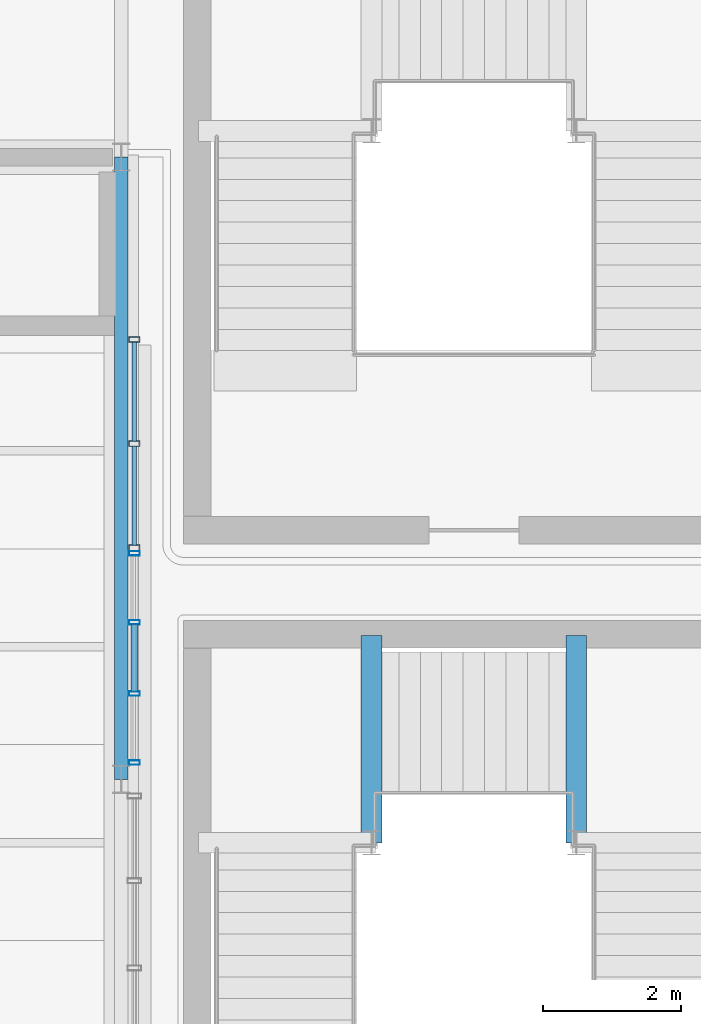
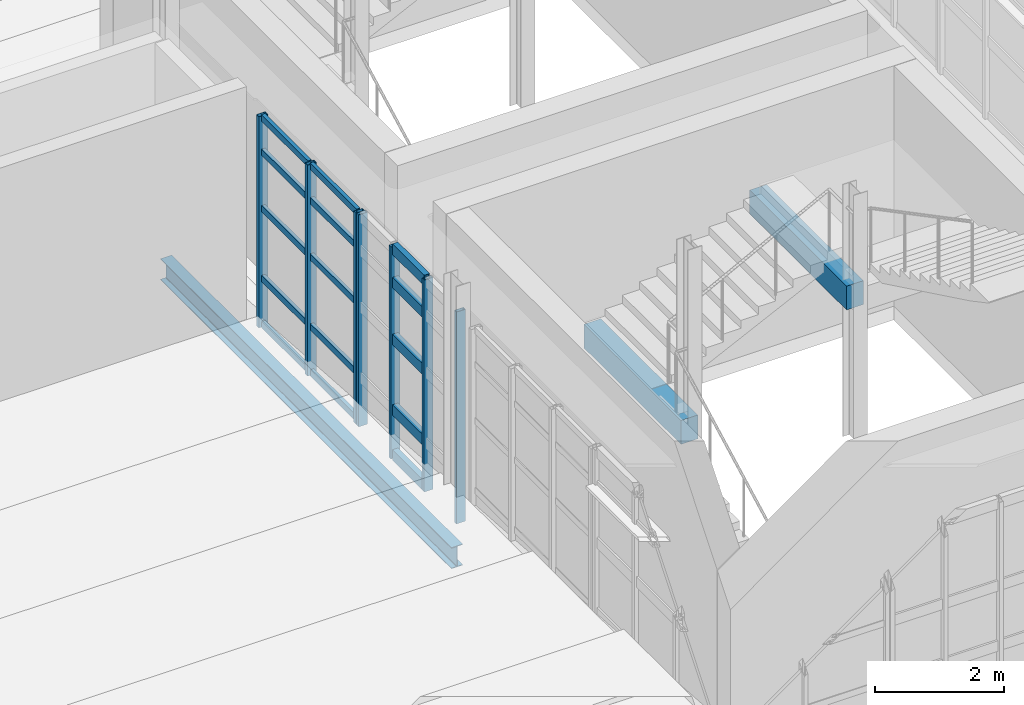
# One storey, part 53 of 100: 22 members, 3 beams, 2 elements without a shape of their own.
"""IFC4 building model written with IfcOpenShell, lengths in metres."""

from ifc_helpers import new_model, si_unit, derived_unit, direction, frame, origin, origin_2d, place, context, subcontext, project, spatial, rectangle, hollow_rectangle, i_section, extrude, material, layer, layer_set, material_profile, profile_set, type_object, element, aggregate, save


model = new_model("IFC4")

# Units and contexts
model_context = context("Model", 3, precision=1e-05, world=origin(), true_north=direction((0.0, 1.0)))
body_context = subcontext(model_context, "Body", "Model", "MODEL_VIEW")
ifc_project = project(units=[si_unit("LENGTHUNIT", "METRE"), si_unit("AREAUNIT", "SQUARE_METRE"), si_unit("VOLUMEUNIT", "CUBIC_METRE"), si_unit("PLANEANGLEUNIT", "RADIAN"), si_unit("MASSUNIT", "GRAM", prefix="KILO"), derived_unit("THERMALTRANSMITTANCEUNIT", [(si_unit("POWERUNIT", "WATT"), 1), (si_unit("LENGTHUNIT", "METRE"), -2), (si_unit("THERMODYNAMICTEMPERATUREUNIT", "KELVIN"), -1)])], contexts=[model_context])

# Site, building, storey
site_placement = place(None, origin())
site = spatial("IfcSite", under=ifc_project, at=site_placement, CompositionType="ELEMENT")
building_placement = place(site_placement, origin())
building = spatial("IfcBuilding", under=site, at=building_placement, Name="Nallur Shell Playhouse", CompositionType="ELEMENT")
storey_placement = place(building_placement, frame((0.0, 0.0, 10.199951171875)))
storey = spatial("IfcBuildingStorey", under=building, at=storey_placement, Name="L03", CompositionType="ELEMENT", Elevation=10.199951171875)

# Beams
ifc_material_1 = material(Name="Concrete M35", Category="concrete")
ifc_material_profile_1 = material_profile(ifc_material_1, rectangle(XDim=0.300048828125, YDim=0.449951171875, at=origin_2d()), Name="RC 300x450")
ifc_profile_set_1 = profile_set([ifc_material_profile_1], Name="Concrete M35")
beam_type_1 = type_object("IfcBeamType", Name="BM-SPN-300x450", PredefinedType="SPANDREL", material=ifc_profile_set_1)
for number, where, z_axis, x_axis, name in (
    (1, (151.219970703125, 31.080078125, 1.22509765625), (0.0, 1.0, 0.0), (-1.0, 0.0, 0.0), "Stair ST-08-L03 L1 east bearer beam"),
    (2, (154.179931640625, 31.080078125, 2.72509765625), (0.0, 1.0, 0.0), (-1.0, 0.0, 0.0), "Stair ST-08-L03 L2 west bearer beam"),
):
    element("IfcBeam", number, at=place(storey_placement, frame(where, z_axis=z_axis, x_axis=x_axis)), inside=storey, type_object=beam_type_1, Name=name, PredefinedType="SPANDREL", context=body_context, shape_type="SweptSolid", body=[
        extrude(rectangle(XDim=0.300048828125, YDim=0.449951171875, at=origin_2d()), origin(), (0.0, 0.0, 1.0), 3.0),
    ])
ifc_material_2 = material(Name="Steel E350", Category="steel")
ifc_material_profile_2 = material_profile(ifc_material_2, i_section(OverallWidth=0.199951171875, OverallDepth=0.39990234375, WebThickness=0.008544921875, FlangeThickness=0.012939453125, FilletRadius=0.012939453125, at=origin_2d()), Name="ISWB 400")
ifc_profile_set_2 = profile_set([ifc_material_profile_2], Name="Steel E350")
beam_type_2 = type_object("IfcBeamType", Name="BM-ST-ISWB400", PredefinedType="BEAM", material=ifc_profile_set_2)
beam_placement = place(storey_placement, frame((147.60009765625, 32.0, -0.4599609375), z_axis=(0.0, 1.0, 0.0), x_axis=(-1.0, 0.0, 0.0)))
element("IfcBeam", 3, at=beam_placement, inside=storey, type_object=beam_type_2, Name="L03 girder Y-18-677", PredefinedType="BEAM", context=body_context, shape_type="SweptSolid", body=[
    extrude(i_section(OverallWidth=0.199951171875, OverallDepth=0.39990234375, WebThickness=0.008544921875, FlangeThickness=0.012939453125, FilletRadius=0.012939453125, at=origin_2d()), origin(), (0.0, 0.0, 1.0), 9.0),
])

# Curtain wall, members
ifc_material_3 = material(Name="Anodised Aluminium Double-Glazed Facade System", Category="aluminium")
ifc_layer_1 = layer(ifc_material_3, 0.1640625)
ifc_layer_set_1 = layer_set([ifc_layer_1], Name="Anodised Aluminium Double-Glazed Facade System")
curtain_wall_type_1 = type_object("IfcCurtainWallType", Name="CW-UNIT-31", PredefinedType="NOTDEFINED", material=ifc_layer_set_1)
curtain_wall_1_placement = place(storey_placement, origin())
curtain_wall_1 = element("IfcCurtainWall", 4, at=curtain_wall_1_placement, inside=storey, type_object=curtain_wall_type_1, Name="Unitised curtain wall CW-095 (L03)", PredefinedType="NOTDEFINED")
ifc_material_4 = material(Name="Aluminium Alloy 6063-T6 Mullion", Category="aluminium")
ifc_material_profile_3 = material_profile(ifc_material_4, hollow_rectangle(XDim=0.080078125, YDim=0.159912109375, WallThickness=0.006103515625, at=origin_2d()), Name="RHS 160x80x6")
ifc_profile_set_3 = profile_set([ifc_material_profile_3], Name="Aluminium Alloy 6063-T6 Mullion")
member_type_1 = type_object("IfcMemberType", Name="MB-CW-MUL150", PredefinedType="MULLION", material=ifc_profile_set_3)
member_1_placement = place(storey_placement, frame((147.7900390625, 35.34912109375, -0.014892578125), z_axis=(0.0, 0.0, 1.0), x_axis=(0.0, 1.0, 0.0)))
member_1 = element("IfcMember", 5, at=member_1_placement, type_object=member_type_1, Name="CW-31 mullion 1", PredefinedType="MULLION", context=body_context, shape_type="SweptSolid", body=[
    extrude(hollow_rectangle(XDim=0.080078125, YDim=0.159912109375, WallThickness=0.006103515625, at=origin_2d()), origin(), (0.0, 0.0, 1.0), 3.98388671875),
])
member_2_placement = place(storey_placement, frame((147.7900390625, 36.8544921875, -0.014892578125), z_axis=(0.0, 0.0, 1.0), x_axis=(0.0, 1.0, 0.0)))
member_2 = element("IfcMember", 6, at=member_2_placement, type_object=member_type_1, Name="CW-31 mullion 2", PredefinedType="MULLION", context=body_context, shape_type="SweptSolid", body=[
    extrude(hollow_rectangle(XDim=0.080078125, YDim=0.159912109375, WallThickness=0.006103515625, at=origin_2d()), origin(), (0.0, 0.0, 1.0), 3.98388671875),
])
member_3_placement = place(storey_placement, frame((147.7900390625, 38.360107421875, -0.014892578125), z_axis=(0.0, 0.0, 1.0), x_axis=(0.0, 1.0, 0.0)))
member_3 = element("IfcMember", 7, at=member_3_placement, type_object=member_type_1, Name="CW-31 mullion 3", PredefinedType="MULLION", context=body_context, shape_type="SweptSolid", body=[
    extrude(hollow_rectangle(XDim=0.080078125, YDim=0.159912109375, WallThickness=0.006103515625, at=origin_2d()), origin(), (0.0, 0.0, 1.0), 3.98388671875),
])

ifc_layer_2 = layer(ifc_material_3, 0.159912109375)
ifc_layer_set_2 = layer_set([ifc_layer_2], Name="Anodised Aluminium Double-Glazed Facade System")
curtain_wall_type_2 = type_object("IfcCurtainWallType", Name="CW-UNIT-30", PredefinedType="NOTDEFINED", material=ifc_layer_set_2)
curtain_wall_2_placement = place(storey_placement, origin())
curtain_wall_2 = element("IfcCurtainWall", 8, at=curtain_wall_2_placement, inside=storey, type_object=curtain_wall_type_2, Name="Unitised curtain wall CW-094 (L03)", PredefinedType="NOTDEFINED")
ifc_material_profile_4 = material_profile(ifc_material_4, hollow_rectangle(XDim=0.06494140625, YDim=0.159912109375, WallThickness=0.00390625, at=origin_2d()), Name="ALU 65x160x4")
ifc_profile_set_4 = profile_set([ifc_material_profile_4], Name="Aluminium Alloy 6063-T6 Mullion")
member_type_2 = type_object("IfcMemberType", Name="MB-CW-MUL160", PredefinedType="MULLION", material=ifc_profile_set_4)
member_4_placement = place(storey_placement, frame((147.7900390625, 32.240478515625, -0.014892578125), z_axis=(0.0, 0.0, 1.0), x_axis=(0.0, 1.0, 0.0)))
member_4 = element("IfcMember", 9, at=member_4_placement, type_object=member_type_2, Name="CW-30 mullion 1", PredefinedType="MULLION", context=body_context, shape_type="SweptSolid", body=[
    extrude(hollow_rectangle(XDim=0.06494140625, YDim=0.159912109375, WallThickness=0.00390625, at=origin_2d()), origin(), (0.0, 0.0, 1.0), 4.00390625),
])
member_5_placement = place(storey_placement, frame((147.7900390625, 33.23828125, -0.014892578125), z_axis=(0.0, 0.0, 1.0), x_axis=(0.0, 1.0, 0.0)))
member_5 = element("IfcMember", 10, at=member_5_placement, type_object=member_type_2, Name="CW-30 mullion 2", PredefinedType="MULLION", context=body_context, shape_type="SweptSolid", body=[
    extrude(hollow_rectangle(XDim=0.06494140625, YDim=0.159912109375, WallThickness=0.00390625, at=origin_2d()), origin(), (0.0, 0.0, 1.0), 4.00390625),
])
member_6_placement = place(storey_placement, frame((147.7900390625, 34.2685546875, -0.014892578125), z_axis=(0.0, 0.0, 1.0), x_axis=(0.0, 1.0, 0.0)))
member_6 = element("IfcMember", 11, at=member_6_placement, type_object=member_type_2, Name="CW-30 mullion 3", PredefinedType="MULLION", context=body_context, shape_type="SweptSolid", body=[
    extrude(hollow_rectangle(XDim=0.06494140625, YDim=0.159912109375, WallThickness=0.00390625, at=origin_2d()), origin(), (0.0, 0.0, 1.0), 4.00390625),
])
member_7_placement = place(storey_placement, frame((147.7900390625, 35.2666015625, -0.014892578125), z_axis=(0.0, 0.0, 1.0), x_axis=(0.0, 1.0, 0.0)))
member_7 = element("IfcMember", 12, at=member_7_placement, type_object=member_type_2, Name="CW-30 mullion 4", PredefinedType="MULLION", context=body_context, shape_type="SweptSolid", body=[
    extrude(hollow_rectangle(XDim=0.06494140625, YDim=0.159912109375, WallThickness=0.00390625, at=origin_2d()), origin(), (0.0, 0.0, 1.0), 4.00390625),
])

# Member
ifc_material_5 = material(Name="Aluminium Alloy 6063-T6 Transom", Category="aluminium")
ifc_material_profile_5 = material_profile(ifc_material_5, hollow_rectangle(XDim=0.06494140625, YDim=0.1201171875, WallThickness=0.00390625, at=origin_2d()), Name="ALU 65x120x4")
ifc_profile_set_5 = profile_set([ifc_material_profile_5], Name="Aluminium Alloy 6063-T6 Transom")
member_type_3 = type_object("IfcMemberType", Name="MB-CW-TRN120", PredefinedType="USERDEFINED", material=ifc_profile_set_5)
member_8_placement = place(storey_placement, frame((147.7900390625, 35.381103515625, 0.032470703125), z_axis=(0.0, 1.0, 0.0), x_axis=(-1.0, 0.0, 0.0)))
member_8 = element("IfcMember", 13, at=member_8_placement, type_object=member_type_3, Name="CW-31 transom 1.1", ObjectType="TRANSOM", PredefinedType="USERDEFINED", context=body_context, shape_type="SweptSolid", body=[
    extrude(hollow_rectangle(XDim=0.06494140625, YDim=0.1201171875, WallThickness=0.00390625, at=origin_2d()), origin(), (0.0, 0.0, 1.0), 1.44140625),
])

member_9_placement = place(storey_placement, frame((147.7900390625, 35.381103515625, 0.900146484375), z_axis=(0.0, 1.0, 0.0), x_axis=(-1.0, 0.0, 0.0)))
member_9 = element("IfcMember", 14, at=member_9_placement, type_object=member_type_3, Name="CW-31 transom 1.2", ObjectType="TRANSOM", PredefinedType="USERDEFINED", context=body_context, shape_type="SweptSolid", body=[
    extrude(hollow_rectangle(XDim=0.06494140625, YDim=0.1201171875, WallThickness=0.00390625, at=origin_2d()), origin(), (0.0, 0.0, 1.0), 1.44140625),
])

member_10_placement = place(storey_placement, frame((147.7900390625, 35.381103515625, 2.219970703125), z_axis=(0.0, 1.0, 0.0), x_axis=(-1.0, 0.0, 0.0)))
member_10 = element("IfcMember", 15, at=member_10_placement, type_object=member_type_3, Name="CW-31 transom 1.3", ObjectType="TRANSOM", PredefinedType="USERDEFINED", context=body_context, shape_type="SweptSolid", body=[
    extrude(hollow_rectangle(XDim=0.06494140625, YDim=0.1201171875, WallThickness=0.00390625, at=origin_2d()), origin(), (0.0, 0.0, 1.0), 1.44140625),
])

member_11_placement = place(storey_placement, frame((147.7900390625, 35.381103515625, 3.28515625), z_axis=(0.0, 1.0, 0.0), x_axis=(-1.0, 0.0, 0.0)))
member_11 = element("IfcMember", 16, at=member_11_placement, type_object=member_type_3, Name="CW-31 transom 1.4", ObjectType="TRANSOM", PredefinedType="USERDEFINED", context=body_context, shape_type="SweptSolid", body=[
    extrude(hollow_rectangle(XDim=0.06494140625, YDim=0.1201171875, WallThickness=0.00390625, at=origin_2d()), origin(), (0.0, 0.0, 1.0), 1.44140625),
])

member_12_placement = place(storey_placement, frame((147.7900390625, 35.381103515625, 3.9326171875), z_axis=(0.0, 1.0, 0.0), x_axis=(-1.0, 0.0, 0.0)))
member_12 = element("IfcMember", 17, at=member_12_placement, type_object=member_type_3, Name="CW-31 transom 1.5", ObjectType="TRANSOM", PredefinedType="USERDEFINED", context=body_context, shape_type="SweptSolid", body=[
    extrude(hollow_rectangle(XDim=0.06494140625, YDim=0.1201171875, WallThickness=0.00390625, at=origin_2d()), origin(), (0.0, 0.0, 1.0), 1.44140625),
])

member_13_placement = place(storey_placement, frame((147.7900390625, 36.886474609375, 0.032470703125), z_axis=(0.0, 1.0, 0.0), x_axis=(-1.0, 0.0, 0.0)))
member_13 = element("IfcMember", 18, at=member_13_placement, type_object=member_type_3, Name="CW-31 transom 2.1", ObjectType="TRANSOM", PredefinedType="USERDEFINED", context=body_context, shape_type="SweptSolid", body=[
    extrude(hollow_rectangle(XDim=0.06494140625, YDim=0.1201171875, WallThickness=0.00390625, at=origin_2d()), origin(), (0.0, 0.0, 1.0), 1.44140625),
])

member_14_placement = place(storey_placement, frame((147.7900390625, 36.886474609375, 0.900146484375), z_axis=(0.0, 1.0, 0.0), x_axis=(-1.0, 0.0, 0.0)))
member_14 = element("IfcMember", 19, at=member_14_placement, type_object=member_type_3, Name="CW-31 transom 2.2", ObjectType="TRANSOM", PredefinedType="USERDEFINED", context=body_context, shape_type="SweptSolid", body=[
    extrude(hollow_rectangle(XDim=0.06494140625, YDim=0.1201171875, WallThickness=0.00390625, at=origin_2d()), origin(), (0.0, 0.0, 1.0), 1.44140625),
])

member_15_placement = place(storey_placement, frame((147.7900390625, 36.886474609375, 2.219970703125), z_axis=(0.0, 1.0, 0.0), x_axis=(-1.0, 0.0, 0.0)))
member_15 = element("IfcMember", 20, at=member_15_placement, type_object=member_type_3, Name="CW-31 transom 2.3", ObjectType="TRANSOM", PredefinedType="USERDEFINED", context=body_context, shape_type="SweptSolid", body=[
    extrude(hollow_rectangle(XDim=0.06494140625, YDim=0.1201171875, WallThickness=0.00390625, at=origin_2d()), origin(), (0.0, 0.0, 1.0), 1.44140625),
])

member_16_placement = place(storey_placement, frame((147.7900390625, 36.886474609375, 3.28515625), z_axis=(0.0, 1.0, 0.0), x_axis=(-1.0, 0.0, 0.0)))
member_16 = element("IfcMember", 21, at=member_16_placement, type_object=member_type_3, Name="CW-31 transom 2.4", ObjectType="TRANSOM", PredefinedType="USERDEFINED", context=body_context, shape_type="SweptSolid", body=[
    extrude(hollow_rectangle(XDim=0.06494140625, YDim=0.1201171875, WallThickness=0.00390625, at=origin_2d()), origin(), (0.0, 0.0, 1.0), 1.44140625),
])

member_17_placement = place(storey_placement, frame((147.7900390625, 36.886474609375, 3.9326171875), z_axis=(0.0, 1.0, 0.0), x_axis=(-1.0, 0.0, 0.0)))
member_17 = element("IfcMember", 22, at=member_17_placement, type_object=member_type_3, Name="CW-31 transom 2.5", ObjectType="TRANSOM", PredefinedType="USERDEFINED", context=body_context, shape_type="SweptSolid", body=[
    extrude(hollow_rectangle(XDim=0.06494140625, YDim=0.1201171875, WallThickness=0.00390625, at=origin_2d()), origin(), (0.0, 0.0, 1.0), 1.44140625),
])

aggregate(curtain_wall_1, [member_1, member_2, member_3, member_8, member_9, member_10, member_11, member_12, member_13, member_14, member_15, member_16, member_17])

ifc_material_profile_6 = material_profile(ifc_material_5, hollow_rectangle(XDim=0.10009765625, YDim=0.199951171875, WallThickness=0.008056640625, at=origin_2d()), Name="RHS 200x100x8")
ifc_profile_set_6 = profile_set([ifc_material_profile_6], Name="Aluminium Alloy 6063-T6 Transom")
member_type_4 = type_object("IfcMemberType", Name="MB-CW-TRN140", PredefinedType="USERDEFINED", material=ifc_profile_set_6)
member_18_placement = place(storey_placement, frame((147.7900390625, 33.262939453125, 0.050048828125), z_axis=(0.0, 1.0, 0.0), x_axis=(-1.0, 0.0, 0.0)))
member_18 = element("IfcMember", 23, at=member_18_placement, type_object=member_type_4, Name="CW-30 transom 2.1", ObjectType="TRANSOM", PredefinedType="USERDEFINED", context=body_context, shape_type="SweptSolid", body=[
    extrude(hollow_rectangle(XDim=0.10009765625, YDim=0.199951171875, WallThickness=0.008056640625, at=origin_2d()), origin(), (0.0, 0.0, 1.0), 0.981201171875),
])

member_19_placement = place(storey_placement, frame((147.7900390625, 33.262939453125, 0.900146484375), z_axis=(0.0, 1.0, 0.0), x_axis=(-1.0, 0.0, 0.0)))
member_19 = element("IfcMember", 24, at=member_19_placement, type_object=member_type_4, Name="CW-30 transom 2.2", ObjectType="TRANSOM", PredefinedType="USERDEFINED", context=body_context, shape_type="SweptSolid", body=[
    extrude(hollow_rectangle(XDim=0.10009765625, YDim=0.199951171875, WallThickness=0.008056640625, at=origin_2d()), origin(), (0.0, 0.0, 1.0), 0.981201171875),
])

member_20_placement = place(storey_placement, frame((147.7900390625, 33.262939453125, 2.23193359375), z_axis=(0.0, 1.0, 0.0), x_axis=(-1.0, 0.0, 0.0)))
member_20 = element("IfcMember", 25, at=member_20_placement, type_object=member_type_4, Name="CW-30 transom 2.3", ObjectType="TRANSOM", PredefinedType="USERDEFINED", context=body_context, shape_type="SweptSolid", body=[
    extrude(hollow_rectangle(XDim=0.10009765625, YDim=0.199951171875, WallThickness=0.008056640625, at=origin_2d()), origin(), (0.0, 0.0, 1.0), 0.981201171875),
])

member_21_placement = place(storey_placement, frame((147.7900390625, 33.262939453125, 3.304931640625), z_axis=(0.0, 1.0, 0.0), x_axis=(-1.0, 0.0, 0.0)))
member_21 = element("IfcMember", 26, at=member_21_placement, type_object=member_type_4, Name="CW-30 transom 2.4", ObjectType="TRANSOM", PredefinedType="USERDEFINED", context=body_context, shape_type="SweptSolid", body=[
    extrude(hollow_rectangle(XDim=0.10009765625, YDim=0.199951171875, WallThickness=0.008056640625, at=origin_2d()), origin(), (0.0, 0.0, 1.0), 0.981201171875),
])

member_22_placement = place(storey_placement, frame((147.7900390625, 33.262939453125, 3.93505859375), z_axis=(0.0, 1.0, 0.0), x_axis=(-1.0, 0.0, 0.0)))
member_22 = element("IfcMember", 27, at=member_22_placement, type_object=member_type_4, Name="CW-30 transom 2.5", ObjectType="TRANSOM", PredefinedType="USERDEFINED", context=body_context, shape_type="SweptSolid", body=[
    extrude(hollow_rectangle(XDim=0.10009765625, YDim=0.199951171875, WallThickness=0.008056640625, at=origin_2d()), origin(), (0.0, 0.0, 1.0), 0.981201171875),
])

aggregate(curtain_wall_2, [member_4, member_5, member_6, member_7, member_18, member_19, member_20, member_21, member_22])

save(model, "model.ifc")
